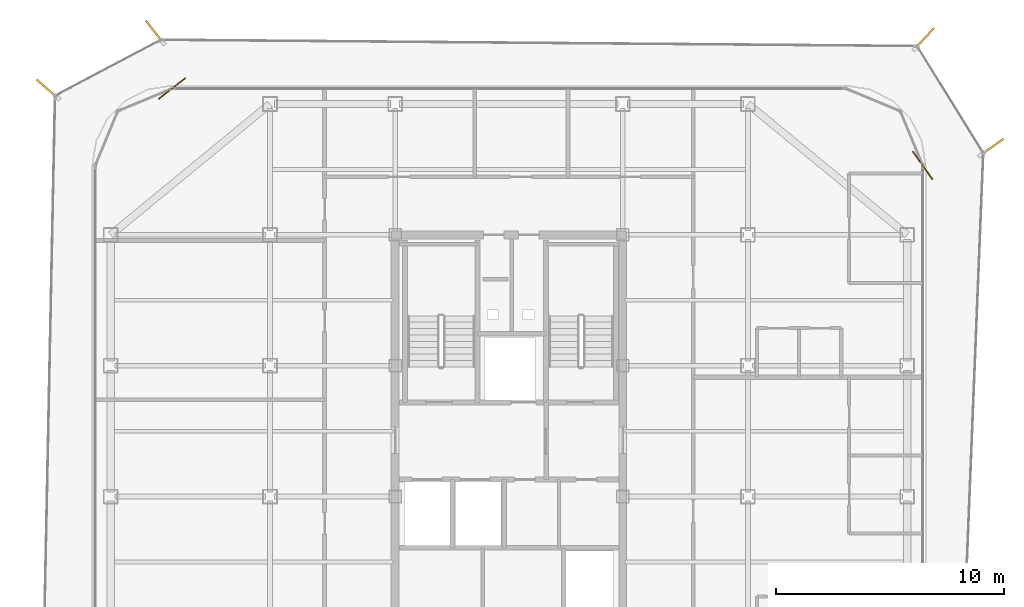
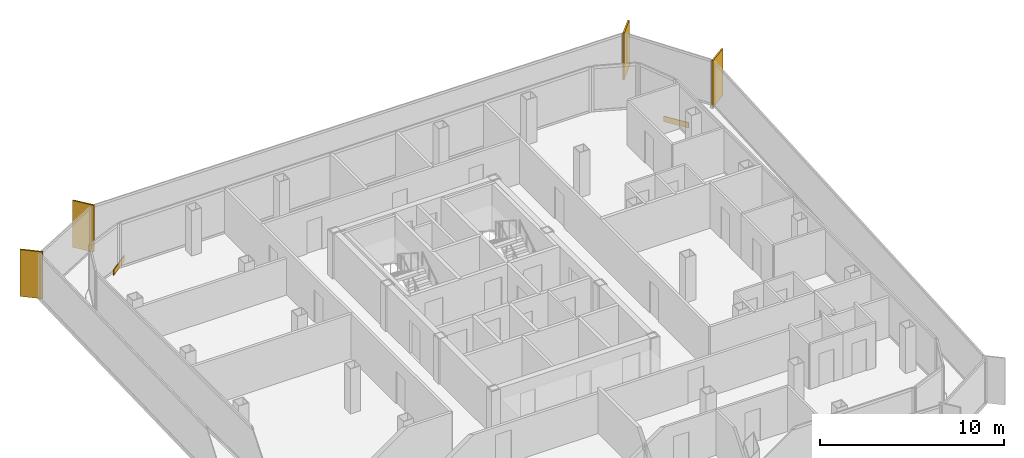
# One storey, part 15 of 15: 4 shading devices, 2 coverings.
"""IFC4 building model written with IfcOpenShell, lengths in metres."""

from ifc_helpers import new_model, si_unit, direction, frame, origin, origin_2d, place, context, subcontext, project, spatial, rectangle, extrude, source, transform, mapped, material, layer, layer_set, type_object, element, save


model = new_model("IFC4")

# Units and contexts
model_context = context("Model", 3, precision=1e-05, world=origin(), true_north=direction((0.0, 1.0)))
body_context = subcontext(model_context, "Body", "Model", "MODEL_VIEW")
ifc_project = project(units=[si_unit("LENGTHUNIT", "METRE"), si_unit("AREAUNIT", "SQUARE_METRE"), si_unit("VOLUMEUNIT", "CUBIC_METRE"), si_unit("PLANEANGLEUNIT", "RADIAN"), si_unit("MASSUNIT", "GRAM", prefix="KILO")], contexts=[model_context])

# Site, building, storey
site_placement = place(None, origin())
site = spatial("IfcSite", under=ifc_project, at=site_placement, CompositionType="ELEMENT")
building_placement = place(site_placement, origin())
building = spatial("IfcBuilding", under=site, at=building_placement, Name="Kolveth Station Tower", CompositionType="ELEMENT")
storey_placement = place(building_placement, frame((0.0, 0.0, 239.300048828125)))
storey = spatial("IfcBuildingStorey", under=building, at=storey_placement, Name="L68", CompositionType="ELEMENT", Elevation=239.300048828125)

# Shading devices
ifc_material_1 = material(Name="Black anodized aluminium 6063-T6", Category="aluminium")
shading_device_type = type_object("IfcShadingDeviceType", Name="FIN_VF1", PredefinedType="USERDEFINED", material=ifc_material_1)
shared_shape_1 = source(origin(), body_context, "Body", "SweptSolid", [
    extrude(rectangle(XDim=1.25, YDim=0.090087890625, at=origin_2d()), origin(), (0.0, 0.0, 1.0), 3.10009765625),
])
for number, where, z_axis, x_axis, name in (
    (1, (44.716064453125, 32.60595703125, 0.0), (0.0, 0.0, 1.0), (0.817346061384, 0.576147043678, 0.0), "L68 Dark-Aluminium Solar Fin 3"),
    (2, (41.74609375, 37.3701171875, 0.0), (0.0, 0.0, 1.0), (0.679185142834, 0.733966989553, 0.0), "L68 Dark-Aluminium Solar Fin 4"),
    (3, (7.928955078125, 37.669921875, 0.0), (0.0, 0.0, 1.0), (-0.614009720373, 0.789298462742, 0.0), "L68 Dark-Aluminium Solar Fin 5"),
    (4, (3.219970703125, 35.158935546875, 0.0), (0.0, 0.0, 1.0), (-0.756881000713, 0.653552714599, 0.0), "L68 Dark-Aluminium Solar Fin 6"),
):
    element("IfcShadingDevice", number, at=place(storey_placement, frame(where, z_axis=z_axis, x_axis=x_axis)), inside=storey, type_object=shading_device_type, Name=name, ObjectType="FIN", PredefinedType="USERDEFINED", context=body_context, shape_type="MappedRepresentation", body=[
        mapped(shared_shape_1, transform((0.0, 0.0, 0.0), x_axis=(1.0, 0.0, 0.0), y_axis=(0.0, 1.0, 0.0), z_axis=(0.0, 0.0, 1.0), scale=1.0)),
    ])

# Coverings
ifc_material_2 = material(Name="Charcoal anodized aluminium spandrel cladding", Category="aluminium")
ifc_layer = layer(ifc_material_2, 0.044921875)
ifc_layer_set = layer_set([ifc_layer], Name="Charcoal anodized aluminium spandrel cladding")
covering_type = type_object("IfcCoveringType", Name="Clad_CD1", PredefinedType="CLADDING", material=ifc_layer_set)
shared_shape_2 = source(origin(), body_context, "Body", "SweptSolid", [
    extrude(rectangle(XDim=1.5, YDim=0.044921875, at=origin_2d()), origin(), (0.0, 0.0, 1.0), 0.360107421875),
])
for number, where, z_axis, x_axis, name in (
    (5, (41.679931640625, 31.800048828125, 0.0), (0.0, 0.0, 1.0), (-0.576147043678, 0.817346061384, 0.0), "L68 Spandrel Edge Cladding 3"),
    (6, (8.699951171875, 35.179931640625, 0.0), (0.0, 0.0, 1.0), (-0.789298462742, -0.614009720373, 0.0), "L68 Spandrel Edge Cladding 5"),
):
    element("IfcCovering", number, at=place(storey_placement, frame(where, z_axis=z_axis, x_axis=x_axis)), inside=storey, type_object=covering_type, Name=name, PredefinedType="CLADDING", context=body_context, shape_type="MappedRepresentation", body=[
        mapped(shared_shape_2, transform((0.0, 0.0, 0.0), x_axis=(1.0, 0.0, 0.0), y_axis=(0.0, 1.0, 0.0), z_axis=(0.0, 0.0, 1.0), scale=1.0)),
    ])

save(model, "model.ifc")
